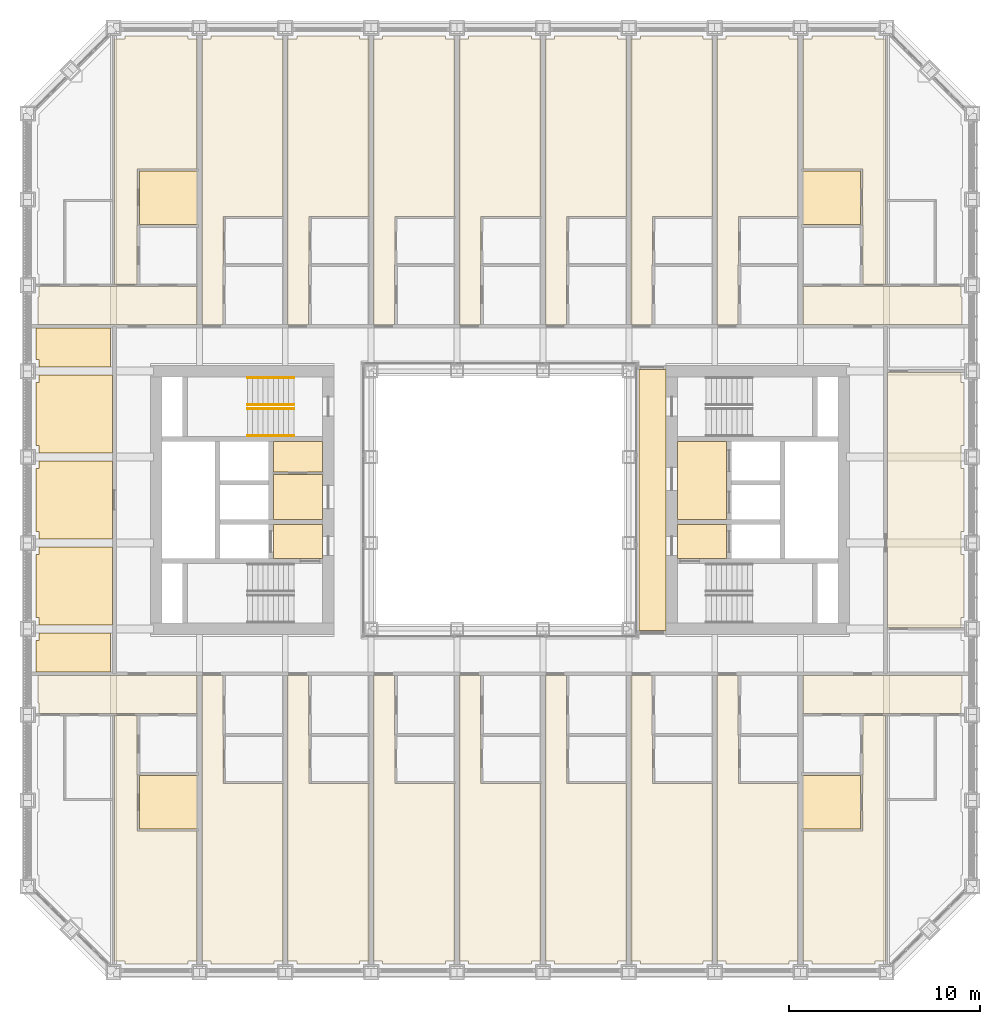
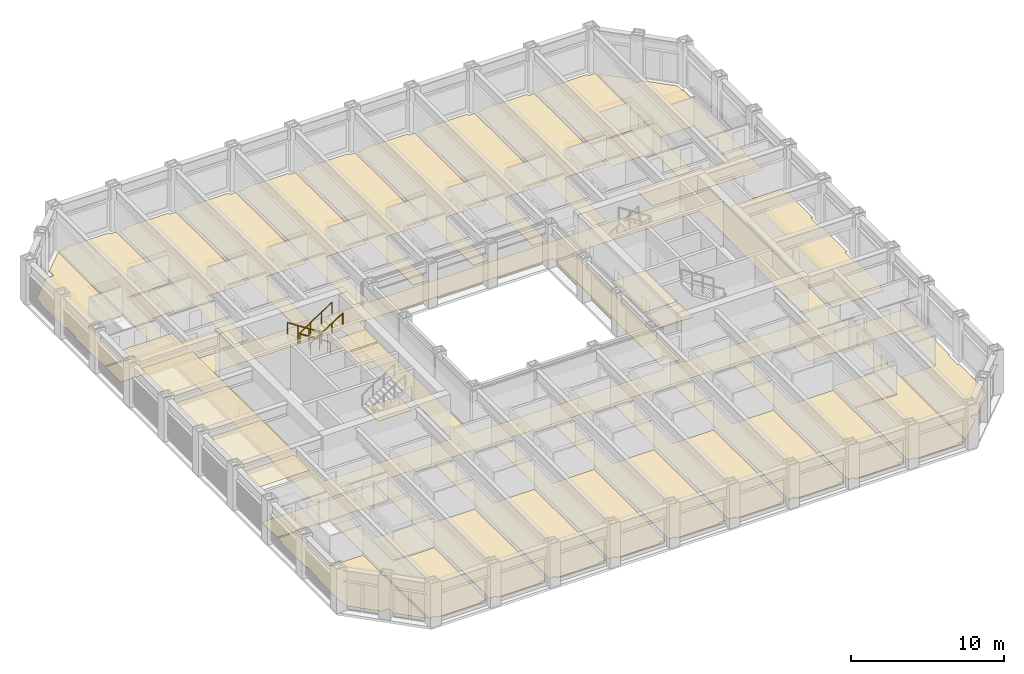
# One storey, part 18 of 21: 4 coverings, 4 railings.
"""IFC4 building model written with IfcOpenShell, lengths in metres."""

from ifc_helpers import new_model, si_unit, direction, frame, origin, origin_2d, place, context, subcontext, project, spatial, line, indexed_curve, circle, outline, extrude, material, layer, layer_set, type_object, element, save


model = new_model("IFC4")

# Units and contexts
model_context = context("Model", 3, precision=1e-05, world=origin(), true_north=direction((0.0, 1.0)))
body_context = subcontext(model_context, "Body", "Model", "MODEL_VIEW")
ifc_project = project(units=[si_unit("LENGTHUNIT", "METRE"), si_unit("AREAUNIT", "SQUARE_METRE"), si_unit("VOLUMEUNIT", "CUBIC_METRE"), si_unit("PLANEANGLEUNIT", "RADIAN"), si_unit("MASSUNIT", "GRAM", prefix="KILO")], contexts=[model_context])

# Site, building, storey
site_placement = place(None, origin())
site = spatial("IfcSite", under=ifc_project, at=site_placement, CompositionType="ELEMENT")
building_placement = place(site_placement, origin())
building = spatial("IfcBuilding", under=site, at=building_placement, Name="Msasa Ring Tower", CompositionType="ELEMENT")
storey_placement = place(building_placement, frame((0.0, 0.0, 30.0)))
storey = spatial("IfcBuildingStorey", under=building, at=storey_placement, Name="L06", CompositionType="ELEMENT", Elevation=30.0)

# Coverings
ifc_material_1 = material(Name="Mineral fibre ceiling tiles on an exposed steel grid", Category="steel")
ifc_layer_1 = layer(ifc_material_1, 0.02001953125)
ifc_layer_set_1 = layer_set([ifc_layer_1], Name="C3 ACOUSTIC MINERAL FIBRE TILE CEILING 20")
covering_type_1 = type_object("IfcCoveringType", Name="C3 ACOUSTIC MINERAL FIBRE TILE CEILING 20", PredefinedType="CEILING", material=ifc_layer_set_1)
covering_1_placement = place(storey_placement, frame((0.0, 0.0, 2.699951171875)))
element("IfcCovering", 1, at=covering_1_placement, inside=storey, type_object=covering_type_1, Name="Acoustic Mineral Fibre Tile Ceiling 20 L06", PredefinedType="CEILING", context=body_context, shape_type="SweptSolid", body=[
    extrude(outline(indexed_curve([(-24.299560546875, -8.99951171875), (-24.299560546875, -7.3505859375), (-24.1494140625, -7.3505859375), (-24.1494140625, -6.960693359375), (-20.404296875, -6.960693359375), (-20.404296875, -8.99951171875)], segments=[line(1, 2, 3, 4, 5, 6, 1)], self_intersect=False)), origin(), (0.0, 0.0, 1.0), 0.02001953125),
    extrude(outline(indexed_curve([(-24.299560546875, -2.8505859375), (-24.1494140625, -2.8505859375), (-24.1494140625, -2.460693359375), (-20.300537109375, -2.460693359375), (-20.300537109375, -6.539306640625), (-24.1494140625, -6.539306640625), (-24.1494140625, -6.1494140625), (-24.299560546875, -6.1494140625)], segments=[line(1, 2, 3, 4, 5, 6, 7, 8, 1)], self_intersect=False)), origin(), (0.0, 0.0, 1.0), 0.02001953125),
    extrude(outline(indexed_curve([(-24.299560546875, 1.6494140625), (-24.1494140625, 1.6494140625), (-24.1494140625, 2.039306640625), (-20.300537109375, 2.039306640625), (-20.300537109375, -2.039306640625), (-24.1494140625, -2.039306640625), (-24.1494140625, -1.6494140625), (-24.299560546875, -1.6494140625)], segments=[line(1, 2, 3, 4, 5, 6, 7, 8, 1)], self_intersect=False)), origin(), (0.0, 0.0, 1.0), 0.02001953125),
    extrude(outline(indexed_curve([(-24.299560546875, 6.1494140625), (-24.1494140625, 6.1494140625), (-24.1494140625, 6.539306640625), (-20.300537109375, 6.539306640625), (-20.300537109375, 2.460693359375), (-24.1494140625, 2.460693359375), (-24.1494140625, 2.8505859375), (-24.299560546875, 2.8505859375)], segments=[line(1, 2, 3, 4, 5, 6, 7, 8, 1)], self_intersect=False)), origin(), (0.0, 0.0, 1.0), 0.02001953125),
    extrude(outline(indexed_curve([(-24.299560546875, 8.99951171875), (-20.404296875, 8.99951171875), (-20.404296875, 6.960693359375), (-24.1494140625, 6.960693359375), (-24.1494140625, 7.3505859375), (-24.299560546875, 7.3505859375)], segments=[line(1, 2, 3, 4, 5, 6, 1)], self_intersect=False)), origin(), (0.0, 0.0, 1.0), 0.02001953125),
    extrude(outline(indexed_curve([(-9.300537109375, -1.0244140625), (-11.87451171875, -1.0244140625), (-11.87451171875, 1.344482421875), (-9.300537109375, 1.344482421875)], segments=[line(1, 2, 3, 4, 1)], self_intersect=False)), origin(), (0.0, 0.0, 1.0), 0.02001953125),
    extrude(outline(indexed_curve([(-9.300537109375, 1.45556640625), (-11.87451171875, 1.45556640625), (-11.87451171875, 3.074462890625), (-9.300537109375, 3.074462890625)], segments=[line(1, 2, 3, 4, 1)], self_intersect=False)), origin(), (0.0, 0.0, 1.0), 0.02001953125),
])
ifc_material_2 = material(Name="Honed granite tiles on a mortar bed", Category="masonry")
ifc_layer_2 = layer(ifc_material_2, 0.030029296875)
ifc_layer_set_2 = layer_set([ifc_layer_2], Name="F1 HONED GRANITE ON BEDDING 30")
covering_type_2 = type_object("IfcCoveringType", Name="F1 HONED GRANITE ON BEDDING 30", PredefinedType="FLOORING", material=ifc_layer_set_2)
covering_2_placement = place(storey_placement, origin())
element("IfcCovering", 2, at=covering_2_placement, inside=storey, type_object=covering_type_2, Name="Honed Granite On Bedding 30 L06", PredefinedType="FLOORING", context=body_context, shape_type="SweptSolid", body=[
    extrude(outline(indexed_curve([(-11.87451171875, -3.074462890625), (-11.87451171875, -1.275390625), (-9.300537109375, -1.275390625), (-9.300537109375, -3.074462890625)], segments=[line(1, 2, 3, 4, 1)], self_intersect=False)), origin(), (0.0, 0.0, 1.0), 0.030029296875),
    extrude(outline(indexed_curve([(7.280029296875, -6.849609375), (7.280029296875, 6.849609375), (8.699462890625, 6.849609375), (8.699462890625, -6.849609375)], segments=[line(1, 2, 3, 4, 1)], self_intersect=False)), origin(), (0.0, 0.0, 1.0), 0.030029296875),
    extrude(outline(indexed_curve([(9.300537109375, -3.074462890625), (9.300537109375, -1.275390625), (11.87451171875, -1.275390625), (11.87451171875, -3.074462890625)], segments=[line(1, 2, 3, 4, 1)], self_intersect=False)), origin(), (0.0, 0.0, 1.0), 0.030029296875),
    extrude(outline(indexed_curve([(9.300537109375, -1.0244140625), (9.300537109375, 3.074462890625), (11.87451171875, 3.074462890625), (11.87451171875, -1.0244140625)], segments=[line(1, 2, 3, 4, 1)], self_intersect=False)), origin(), (0.0, 0.0, 1.0), 0.030029296875),
])
ifc_material_3 = material(Name="Wool-blend carpet on felt underlay", Category="textile")
ifc_layer_3 = layer(ifc_material_3, 0.011962890625)
ifc_layer_set_3 = layer_set([ifc_layer_3], Name="F2 CARPET ON UNDERLAY 12")
covering_type_3 = type_object("IfcCoveringType", Name="F2 CARPET ON UNDERLAY 12", PredefinedType="FLOORING", material=ifc_layer_set_3)
covering_3_placement = place(storey_placement, origin())
element("IfcCovering", 3, at=covering_3_placement, inside=storey, type_object=covering_type_3, Name="Carpet On Underlay 12 L06", PredefinedType="FLOORING", context=body_context, shape_type="SweptSolid", body=[
    extrude(outline(indexed_curve([(-21.8994140625, -22.46337890625), (-21.8994140625, -21.8994140625), (-22.46337890625, -21.8994140625), (-24.1494140625, -20.21337890625), (-24.1494140625, -19.6494140625), (-24.239501953125, -19.6494140625), (-24.239501953125, -16.3505859375), (-24.1494140625, -16.3505859375), (-24.1494140625, -15.1494140625), (-24.239501953125, -15.1494140625), (-24.239501953125, -11.8505859375), (-24.1494140625, -11.8505859375), (-24.1494140625, -11.300537109375), (-22.8505859375, -11.300537109375), (-22.8505859375, -15.74267578125), (-20.310546875, -15.74267578125), (-20.310546875, -24.052490234375)], segments=[line(1, 2, 3, 4, 5, 6, 7, 8, 9, 10, 11, 12, 13, 14, 15, 16, 17, 1)], self_intersect=False)), origin(), (0.0, 0.0, 1.0), 0.011962890625),
    extrude(outline(indexed_curve([(-24.239501953125, 15.1494140625), (-24.1494140625, 15.1494140625), (-24.1494140625, 16.3505859375), (-24.239501953125, 16.3505859375), (-24.239501953125, 19.6494140625), (-24.1494140625, 19.6494140625), (-24.1494140625, 20.21337890625), (-22.46337890625, 21.8994140625), (-21.8994140625, 21.8994140625), (-21.8994140625, 22.46337890625), (-20.310546875, 24.052490234375), (-20.310546875, 15.74267578125), (-22.8505859375, 15.74267578125), (-22.8505859375, 11.300537109375), (-24.1494140625, 11.300537109375), (-24.1494140625, 11.8505859375), (-24.239501953125, 11.8505859375)], segments=[line(1, 2, 3, 4, 5, 6, 7, 8, 9, 10, 11, 12, 13, 14, 15, 16, 17, 1)], self_intersect=False)), origin(), (0.0, 0.0, 1.0), 0.011962890625),
    extrude(outline(indexed_curve([(-20.099609375, -8.99951171875), (-20.099609375, 8.99951171875), (20.099609375, 8.99951171875), (20.099609375, -8.99951171875)], segments=[line(1, 2, 3, 4, 1)], self_intersect=False), holes=[indexed_curve([(8.699462890625, -7.150390625), (18.300537109375, -7.150390625), (18.300537109375, 7.150390625), (8.699462890625, 7.150390625), (8.699462890625, 7.050537109375), (7.280029296875, 7.050537109375), (7.275390625, 7.275390625), (7.22998046875, 7.280029296875), (-7.275390625, 7.275390625), (-7.275390625, -7.275390625), (7.22998046875, -7.280029296875), (7.275390625, -7.275390625), (7.280029296875, -7.050537109375), (8.699462890625, -7.050537109375)], segments=[line(1, 2, 3, 4, 5, 6, 7, 8, 9, 10, 11, 12, 13, 14, 1)], self_intersect=False), indexed_curve([(-8.699462890625, 7.150390625), (-18.300537109375, 7.150390625), (-18.300537109375, -7.150390625), (-8.699462890625, -7.150390625)], segments=[line(1, 2, 3, 4, 1)], self_intersect=False)]), origin(), (0.0, 0.0, 1.0), 0.011962890625),
    extrude(outline(indexed_curve([(-18.8994140625, -14.430419921875), (-15.87548828125, -14.430419921875), (-15.87548828125, -17.2353515625), (-18.8994140625, -17.2353515625)], segments=[line(1, 2, 3, 4, 1)], self_intersect=False)), origin(), (0.0, 0.0, 1.0), 0.011962890625),
    extrude(outline(indexed_curve([(-18.8994140625, 17.2353515625), (-15.87548828125, 17.2353515625), (-15.87548828125, 14.430419921875), (-18.8994140625, 14.430419921875)], segments=[line(1, 2, 3, 4, 1)], self_intersect=False)), origin(), (0.0, 0.0, 1.0), 0.011962890625),
    extrude(outline(indexed_curve([(18.8994140625, -14.430419921875), (18.8994140625, -17.2353515625), (15.87548828125, -17.2353515625), (15.87548828125, -14.430419921875)], segments=[line(1, 2, 3, 4, 1)], self_intersect=False)), origin(), (0.0, 0.0, 1.0), 0.011962890625),
    extrude(outline(indexed_curve([(18.8994140625, 17.2353515625), (18.8994140625, 14.430419921875), (15.87548828125, 14.430419921875), (15.87548828125, 17.2353515625)], segments=[line(1, 2, 3, 4, 1)], self_intersect=False)), origin(), (0.0, 0.0, 1.0), 0.011962890625),
    extrude(outline(indexed_curve([(24.1494140625, -11.300537109375), (24.1494140625, -11.8505859375), (24.239501953125, -11.8505859375), (24.239501953125, -15.1494140625), (24.1494140625, -15.1494140625), (24.1494140625, -16.3505859375), (24.239501953125, -16.3505859375), (24.239501953125, -19.6494140625), (24.1494140625, -19.6494140625), (24.1494140625, -20.21337890625), (22.46337890625, -21.8994140625), (21.8994140625, -21.8994140625), (21.8994140625, -22.46337890625), (20.310546875, -24.052490234375), (20.310546875, -15.74267578125), (22.8505859375, -15.74267578125), (22.8505859375, -11.300537109375)], segments=[line(1, 2, 3, 4, 5, 6, 7, 8, 9, 10, 11, 12, 13, 14, 15, 16, 17, 1)], self_intersect=False)), origin(), (0.0, 0.0, 1.0), 0.011962890625),
    extrude(outline(indexed_curve([(24.239501953125, 16.3505859375), (24.1494140625, 16.3505859375), (24.1494140625, 15.1494140625), (24.239501953125, 15.1494140625), (24.239501953125, 11.8505859375), (24.1494140625, 11.8505859375), (24.1494140625, 11.300537109375), (22.8505859375, 11.300537109375), (22.8505859375, 15.74267578125), (20.310546875, 15.74267578125), (20.310546875, 24.052490234375), (21.8994140625, 22.46337890625), (21.8994140625, 21.8994140625), (22.46337890625, 21.8994140625), (24.1494140625, 20.21337890625), (24.1494140625, 19.6494140625), (24.239501953125, 19.6494140625)], segments=[line(1, 2, 3, 4, 5, 6, 7, 8, 9, 10, 11, 12, 13, 14, 15, 16, 17, 1)], self_intersect=False)), origin(), (0.0, 0.0, 1.0), 0.011962890625),
])
ifc_material_4 = material(Name="Engineered oak boards on an acoustic underlay", Category="wood")
ifc_layer_4 = layer(ifc_material_4, 0.01806640625)
ifc_layer_set_4 = layer_set([ifc_layer_4], Name="F3 ENGINEERED TIMBER ON ACOUSTIC UNDERLAY 18")
covering_type_4 = type_object("IfcCoveringType", Name="F3 ENGINEERED TIMBER ON ACOUSTIC UNDERLAY 18", PredefinedType="FLOORING", material=ifc_layer_set_4)
covering_4_placement = place(storey_placement, origin())
element("IfcCovering", 4, at=covering_4_placement, inside=storey, type_object=covering_type_4, Name="Engineered Timber On Acoustic Underlay 18 L06", PredefinedType="FLOORING", context=body_context, shape_type="SweptSolid", body=[
    extrude(outline(indexed_curve([(-15.87548828125, -9.200439453125), (-15.87548828125, -11.199462890625), (-24.1494140625, -11.199462890625), (-24.1494140625, -10.6494140625), (-24.199462890625, -10.6494140625), (-24.199462890625, -9.200439453125)], segments=[line(1, 2, 3, 4, 5, 6, 1)], self_intersect=False)), origin(), (0.0, 0.0, 1.0), 0.01806640625),
    extrude(outline(indexed_curve([(-24.199462890625, 9.200439453125), (-24.199462890625, 10.6494140625), (-24.1494140625, 10.6494140625), (-24.1494140625, 11.199462890625), (-15.87548828125, 11.199462890625), (-15.87548828125, 9.200439453125)], segments=[line(1, 2, 3, 4, 5, 6, 1)], self_intersect=False)), origin(), (0.0, 0.0, 1.0), 0.01806640625),
    extrude(outline(indexed_curve([(-20.189453125, -11.300537109375), (-19.025390625, -11.300537109375), (-19.025390625, -14.39990234375), (-19.00048828125, -14.39990234375), (-19.00048828125, -17.34130859375), (-15.87548828125, -17.34130859375), (-15.87548828125, -24.1494140625), (-16.3505859375, -24.1494140625), (-16.3505859375, -24.299560546875), (-19.6494140625, -24.299560546875), (-19.6494140625, -24.1494140625), (-20.189453125, -24.1494140625)], segments=[line(1, 2, 3, 4, 5, 6, 7, 8, 9, 10, 11, 12, 1)], self_intersect=False)), origin(), (0.0, 0.0, 1.0), 0.01806640625),
    extrude(outline(indexed_curve([(-20.189453125, 11.300537109375), (-20.189453125, 24.1494140625), (-19.6494140625, 24.1494140625), (-19.6494140625, 24.299560546875), (-16.3505859375, 24.299560546875), (-16.3505859375, 24.1494140625), (-15.87548828125, 24.1494140625), (-15.87548828125, 17.34130859375), (-19.00048828125, 17.34130859375), (-19.00048828125, 14.39990234375), (-19.025390625, 14.39990234375), (-19.025390625, 11.300537109375)], segments=[line(1, 2, 3, 4, 5, 6, 7, 8, 9, 10, 11, 12, 1)], self_intersect=False)), origin(), (0.0, 0.0, 1.0), 0.01806640625),
    extrude(outline(indexed_curve([(-14.525390625, -9.200439453125), (-14.525390625, -12.35009765625), (-14.50048828125, -12.35009765625), (-14.50048828125, -14.8505859375), (-11.37548828125, -14.8505859375), (-11.37548828125, -24.1494140625), (-11.8505859375, -24.1494140625), (-11.8505859375, -24.299560546875), (-15.1494140625, -24.299560546875), (-15.1494140625, -24.1494140625), (-15.62451171875, -24.1494140625), (-15.62451171875, -9.200439453125)], segments=[line(1, 2, 3, 4, 5, 6, 7, 8, 9, 10, 11, 12, 1)], self_intersect=False)), origin(), (0.0, 0.0, 1.0), 0.01806640625),
    extrude(outline(indexed_curve([(-11.8505859375, 24.299560546875), (-11.8505859375, 24.1494140625), (-11.37548828125, 24.1494140625), (-11.37548828125, 14.8505859375), (-14.50048828125, 14.8505859375), (-14.50048828125, 12.35009765625), (-14.525390625, 12.35009765625), (-14.525390625, 9.200439453125), (-15.62451171875, 9.200439453125), (-15.62451171875, 24.1494140625), (-15.1494140625, 24.1494140625), (-15.1494140625, 24.299560546875)], segments=[line(1, 2, 3, 4, 5, 6, 7, 8, 9, 10, 11, 12, 1)], self_intersect=False)), origin(), (0.0, 0.0, 1.0), 0.01806640625),
    extrude(outline(indexed_curve([(-10.025390625, -9.200439453125), (-10.025390625, -12.35009765625), (-10.00048828125, -12.35009765625), (-10.00048828125, -14.8505859375), (-6.87548828125, -14.8505859375), (-6.87548828125, -24.1494140625), (-7.3505859375, -24.1494140625), (-7.3505859375, -24.299560546875), (-10.6494140625, -24.299560546875), (-10.6494140625, -24.1494140625), (-11.12451171875, -24.1494140625), (-11.12451171875, -9.200439453125)], segments=[line(1, 2, 3, 4, 5, 6, 7, 8, 9, 10, 11, 12, 1)], self_intersect=False)), origin(), (0.0, 0.0, 1.0), 0.01806640625),
    extrude(outline(indexed_curve([(-7.3505859375, 24.299560546875), (-7.3505859375, 24.1494140625), (-6.87548828125, 24.1494140625), (-6.87548828125, 14.8505859375), (-10.00048828125, 14.8505859375), (-10.00048828125, 12.35009765625), (-10.025390625, 12.35009765625), (-10.025390625, 9.200439453125), (-11.12451171875, 9.200439453125), (-11.12451171875, 24.1494140625), (-10.6494140625, 24.1494140625), (-10.6494140625, 24.299560546875)], segments=[line(1, 2, 3, 4, 5, 6, 7, 8, 9, 10, 11, 12, 1)], self_intersect=False)), origin(), (0.0, 0.0, 1.0), 0.01806640625),
    extrude(outline(indexed_curve([(-5.525390625, -9.200439453125), (-5.525390625, -12.35009765625), (-5.50048828125, -12.35009765625), (-5.50048828125, -14.8505859375), (-2.37548828125, -14.8505859375), (-2.37548828125, -24.1494140625), (-2.8505859375, -24.1494140625), (-2.8505859375, -24.299560546875), (-6.1494140625, -24.299560546875), (-6.1494140625, -24.1494140625), (-6.62451171875, -24.1494140625), (-6.62451171875, -9.200439453125)], segments=[line(1, 2, 3, 4, 5, 6, 7, 8, 9, 10, 11, 12, 1)], self_intersect=False)), origin(), (0.0, 0.0, 1.0), 0.01806640625),
    extrude(outline(indexed_curve([(-2.8505859375, 24.299560546875), (-2.8505859375, 24.1494140625), (-2.37548828125, 24.1494140625), (-2.37548828125, 14.8505859375), (-5.50048828125, 14.8505859375), (-5.50048828125, 12.35009765625), (-5.525390625, 12.35009765625), (-5.525390625, 9.200439453125), (-6.62451171875, 9.200439453125), (-6.62451171875, 24.1494140625), (-6.1494140625, 24.1494140625), (-6.1494140625, 24.299560546875)], segments=[line(1, 2, 3, 4, 5, 6, 7, 8, 9, 10, 11, 12, 1)], self_intersect=False)), origin(), (0.0, 0.0, 1.0), 0.01806640625),
    extrude(outline(indexed_curve([(-1.025390625, -9.200439453125), (-1.025390625, -12.35009765625), (-1.00048828125, -12.35009765625), (-1.00048828125, -14.8505859375), (2.12451171875, -14.8505859375), (2.12451171875, -24.1494140625), (1.6494140625, -24.1494140625), (1.6494140625, -24.299560546875), (-1.6494140625, -24.299560546875), (-1.6494140625, -24.1494140625), (-2.12451171875, -24.1494140625), (-2.12451171875, -9.200439453125)], segments=[line(1, 2, 3, 4, 5, 6, 7, 8, 9, 10, 11, 12, 1)], self_intersect=False)), origin(), (0.0, 0.0, 1.0), 0.01806640625),
    extrude(outline(indexed_curve([(1.6494140625, 24.299560546875), (1.6494140625, 24.1494140625), (2.12451171875, 24.1494140625), (2.12451171875, 14.8505859375), (-1.00048828125, 14.8505859375), (-1.00048828125, 12.35009765625), (-1.025390625, 12.35009765625), (-1.025390625, 9.200439453125), (-2.12451171875, 9.200439453125), (-2.12451171875, 24.1494140625), (-1.6494140625, 24.1494140625), (-1.6494140625, 24.299560546875)], segments=[line(1, 2, 3, 4, 5, 6, 7, 8, 9, 10, 11, 12, 1)], self_intersect=False)), origin(), (0.0, 0.0, 1.0), 0.01806640625),
    extrude(outline(indexed_curve([(3.474609375, -9.200439453125), (3.474609375, -12.35009765625), (3.49951171875, -12.35009765625), (3.49951171875, -14.8505859375), (6.62451171875, -14.8505859375), (6.62451171875, -24.1494140625), (6.1494140625, -24.1494140625), (6.1494140625, -24.299560546875), (2.8505859375, -24.299560546875), (2.8505859375, -24.1494140625), (2.37548828125, -24.1494140625), (2.37548828125, -9.200439453125)], segments=[line(1, 2, 3, 4, 5, 6, 7, 8, 9, 10, 11, 12, 1)], self_intersect=False)), origin(), (0.0, 0.0, 1.0), 0.01806640625),
    extrude(outline(indexed_curve([(6.1494140625, 24.299560546875), (6.1494140625, 24.1494140625), (6.62451171875, 24.1494140625), (6.62451171875, 14.8505859375), (3.49951171875, 14.8505859375), (3.49951171875, 12.35009765625), (3.474609375, 12.35009765625), (3.474609375, 9.200439453125), (2.37548828125, 9.200439453125), (2.37548828125, 24.1494140625), (2.8505859375, 24.1494140625), (2.8505859375, 24.299560546875)], segments=[line(1, 2, 3, 4, 5, 6, 7, 8, 9, 10, 11, 12, 1)], self_intersect=False)), origin(), (0.0, 0.0, 1.0), 0.01806640625),
    extrude(outline(indexed_curve([(7.974609375, -9.200439453125), (7.974609375, -12.35009765625), (7.99951171875, -12.35009765625), (7.99951171875, -14.8505859375), (11.12451171875, -14.8505859375), (11.12451171875, -24.1494140625), (10.6494140625, -24.1494140625), (10.6494140625, -24.299560546875), (7.3505859375, -24.299560546875), (7.3505859375, -24.1494140625), (6.87548828125, -24.1494140625), (6.87548828125, -9.200439453125)], segments=[line(1, 2, 3, 4, 5, 6, 7, 8, 9, 10, 11, 12, 1)], self_intersect=False)), origin(), (0.0, 0.0, 1.0), 0.01806640625),
    extrude(outline(indexed_curve([(10.6494140625, 24.299560546875), (10.6494140625, 24.1494140625), (11.12451171875, 24.1494140625), (11.12451171875, 14.8505859375), (7.99951171875, 14.8505859375), (7.99951171875, 12.35009765625), (7.974609375, 12.35009765625), (7.974609375, 9.200439453125), (6.87548828125, 9.200439453125), (6.87548828125, 24.1494140625), (7.3505859375, 24.1494140625), (7.3505859375, 24.299560546875)], segments=[line(1, 2, 3, 4, 5, 6, 7, 8, 9, 10, 11, 12, 1)], self_intersect=False)), origin(), (0.0, 0.0, 1.0), 0.01806640625),
    extrude(outline(indexed_curve([(12.474609375, -9.200439453125), (12.474609375, -12.35009765625), (12.49951171875, -12.35009765625), (12.49951171875, -14.8505859375), (15.62451171875, -14.8505859375), (15.62451171875, -24.1494140625), (15.1494140625, -24.1494140625), (15.1494140625, -24.299560546875), (11.8505859375, -24.299560546875), (11.8505859375, -24.1494140625), (11.37548828125, -24.1494140625), (11.37548828125, -9.200439453125)], segments=[line(1, 2, 3, 4, 5, 6, 7, 8, 9, 10, 11, 12, 1)], self_intersect=False)), origin(), (0.0, 0.0, 1.0), 0.01806640625),
    extrude(outline(indexed_curve([(15.1494140625, 24.299560546875), (15.1494140625, 24.1494140625), (15.62451171875, 24.1494140625), (15.62451171875, 14.8505859375), (12.49951171875, 14.8505859375), (12.49951171875, 12.35009765625), (12.474609375, 12.35009765625), (12.474609375, 9.200439453125), (11.37548828125, 9.200439453125), (11.37548828125, 24.1494140625), (11.8505859375, 24.1494140625), (11.8505859375, 24.299560546875)], segments=[line(1, 2, 3, 4, 5, 6, 7, 8, 9, 10, 11, 12, 1)], self_intersect=False)), origin(), (0.0, 0.0, 1.0), 0.01806640625),
    extrude(outline(indexed_curve([(20.189453125, -24.1494140625), (19.6494140625, -24.1494140625), (19.6494140625, -24.299560546875), (16.3505859375, -24.299560546875), (16.3505859375, -24.1494140625), (15.87548828125, -24.1494140625), (15.87548828125, -17.34130859375), (19.00048828125, -17.34130859375), (19.00048828125, -14.39990234375), (19.025390625, -14.39990234375), (19.025390625, -11.300537109375), (20.189453125, -11.300537109375)], segments=[line(1, 2, 3, 4, 5, 6, 7, 8, 9, 10, 11, 12, 1)], self_intersect=False)), origin(), (0.0, 0.0, 1.0), 0.01806640625),
    extrude(outline(indexed_curve([(24.199462890625, -10.6494140625), (24.1494140625, -10.6494140625), (24.1494140625, -11.199462890625), (15.87548828125, -11.199462890625), (15.87548828125, -9.200439453125), (24.199462890625, -9.200439453125)], segments=[line(1, 2, 3, 4, 5, 6, 1)], self_intersect=False)), origin(), (0.0, 0.0, 1.0), 0.01806640625),
    extrude(outline(indexed_curve([(24.199462890625, 9.200439453125), (15.87548828125, 9.200439453125), (15.87548828125, 11.199462890625), (24.1494140625, 11.199462890625), (24.1494140625, 10.6494140625), (24.199462890625, 10.6494140625)], segments=[line(1, 2, 3, 4, 5, 6, 1)], self_intersect=False)), origin(), (0.0, 0.0, 1.0), 0.01806640625),
    extrude(outline(indexed_curve([(20.189453125, 11.300537109375), (19.025390625, 11.300537109375), (19.025390625, 14.39990234375), (19.00048828125, 14.39990234375), (19.00048828125, 17.34130859375), (15.87548828125, 17.34130859375), (15.87548828125, 24.1494140625), (16.3505859375, 24.1494140625), (16.3505859375, 24.299560546875), (19.6494140625, 24.299560546875), (19.6494140625, 24.1494140625), (20.189453125, 24.1494140625)], segments=[line(1, 2, 3, 4, 5, 6, 7, 8, 9, 10, 11, 12, 1)], self_intersect=False)), origin(), (0.0, 0.0, 1.0), 0.01806640625),
    extrude(outline(indexed_curve([(20.300537109375, 6.66943359375), (24.1494140625, 6.66943359375), (24.1494140625, 6.1494140625), (24.299560546875, 6.1494140625), (24.299560546875, 2.8505859375), (24.1494140625, 2.8505859375), (24.1494140625, 1.6494140625), (24.299560546875, 1.6494140625), (24.299560546875, -1.6494140625), (24.1494140625, -1.6494140625), (24.1494140625, -2.8505859375), (24.299560546875, -2.8505859375), (24.299560546875, -6.1494140625), (24.1494140625, -6.1494140625), (24.1494140625, -6.694580078125), (20.300537109375, -6.694580078125)], segments=[line(1, 2, 3, 4, 5, 6, 7, 8, 9, 10, 11, 12, 13, 14, 15, 16, 1)], self_intersect=False)), origin(), (0.0, 0.0, 1.0), 0.01806640625),
])

# Railings
ifc_material_5 = material(Name="Stainless steel", Category="steel")
railing_type = type_object("IfcRailingType", Name="HR1 HANDRAIL 900", PredefinedType="HANDRAIL", material=ifc_material_5)
for number, where, name in (
    (5, (-10.800048828125, 5.0, 0.175048828125), "Handrail stair SWB L06 1"),
    (6, (-10.800048828125, 6.39990234375, 0.175048828125), "Handrail stair SWB L06 2"),
):
    element("IfcRailing", number, at=place(storey_placement, frame(where)), inside=storey, type_object=railing_type, Name=name, PredefinedType="HANDRAIL", context=body_context, shape_type="SweptSolid", body=[
        extrude(circle(Radius=0.02392578125, at=origin_2d()), frame((0.0, 0.0, 0.8759765625), z_axis=(-0.839153699163, 0.0, 0.543894354798), x_axis=(0.0, -1.0, 0.0)), (0.0, 0.0, 1.0), 2.895751953125),
        extrude(circle(Radius=0.02099609375, at=origin_2d()), origin(), (0.0, 0.0, 1.0), 0.851806640625),
        extrude(circle(Radius=0.02099609375, at=origin_2d()), frame((-0.81005859375, 0.0, 0.52490234375)), (0.0, 0.0, 1.0), 0.851806640625),
        extrude(circle(Radius=0.02099609375, at=origin_2d()), frame((-1.619873046875, 0.0, 1.050048828125)), (0.0, 0.0, 1.0), 0.851806640625),
        extrude(circle(Radius=0.02099609375, at=origin_2d()), frame((-2.429931640625, 0.0, 1.574951171875)), (0.0, 0.0, 1.0), 0.851806640625),
    ])
for number, where, name in (
    (7, (-13.22998046875, 3.375, 1.925048828125), "Handrail stair SWB L06 3"),
    (8, (-13.22998046875, 4.77490234375, 1.925048828125), "Handrail stair SWB L06 4"),
):
    element("IfcRailing", number, at=place(storey_placement, frame(where)), inside=storey, type_object=railing_type, Name=name, PredefinedType="HANDRAIL", context=body_context, shape_type="SweptSolid", body=[
        extrude(circle(Radius=0.02392578125, at=origin_2d()), frame((0.0, 0.0, 0.8759765625), z_axis=(0.839153699163, 0.0, 0.543894354798), x_axis=(0.0, 1.0, 0.0)), (0.0, 0.0, 1.0), 2.895751953125),
        extrude(circle(Radius=0.02099609375, at=origin_2d()), origin(), (0.0, 0.0, 1.0), 0.851806640625),
        extrude(circle(Radius=0.02099609375, at=origin_2d()), frame((0.81005859375, 0.0, 0.52490234375)), (0.0, 0.0, 1.0), 0.851806640625),
        extrude(circle(Radius=0.02099609375, at=origin_2d()), frame((1.619873046875, 0.0, 1.050048828125)), (0.0, 0.0, 1.0), 0.851806640625),
        extrude(circle(Radius=0.02099609375, at=origin_2d()), frame((2.429931640625, 0.0, 1.574951171875)), (0.0, 0.0, 1.0), 0.851806640625),
    ])

save(model, "model.ifc")
